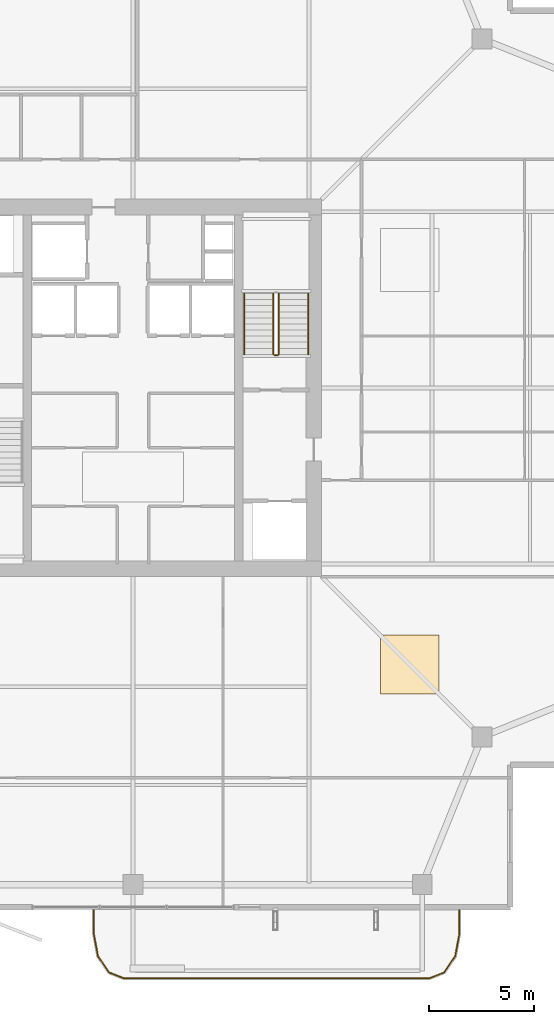
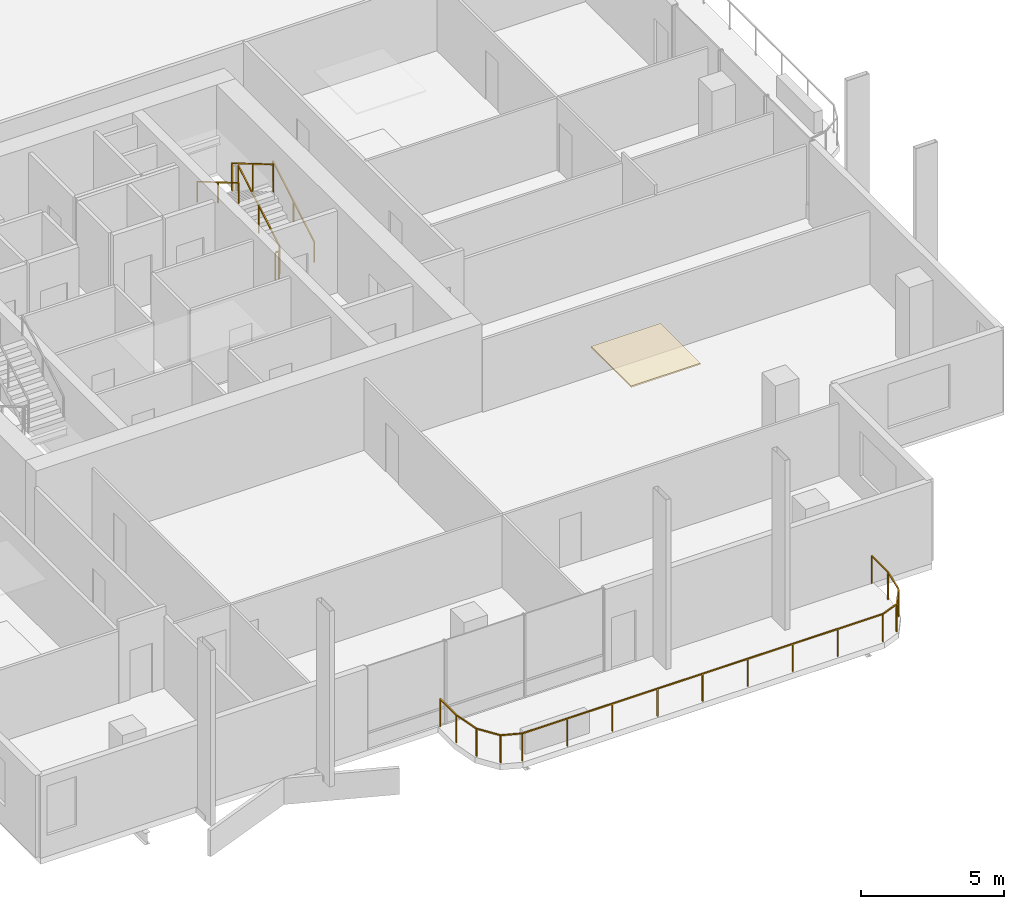
# One storey, part 23 of 25: 6 railings, 1 covering.
"""IFC4 building model written with IfcOpenShell, lengths in metres."""

from ifc_helpers import new_model, si_unit, direction, frame, origin, origin_2d, place, context, subcontext, project, spatial, polyline, rectangle, outline, extrude, material, layer, layer_set, type_object, element, save


model = new_model("IFC4")

# Units and contexts
model_context = context("Model", 3, precision=1e-05, world=origin(), true_north=direction((0.0, 1.0)))
body_context = subcontext(model_context, "Body", "Model", "MODEL_VIEW")
ifc_project = project(units=[si_unit("LENGTHUNIT", "METRE"), si_unit("AREAUNIT", "SQUARE_METRE"), si_unit("VOLUMEUNIT", "CUBIC_METRE"), si_unit("PLANEANGLEUNIT", "RADIAN"), si_unit("MASSUNIT", "GRAM", prefix="KILO")], contexts=[model_context])

# Site, building, storey
site_placement = place(None, origin())
site = spatial("IfcSite", under=ifc_project, at=site_placement, CompositionType="ELEMENT")
building_placement = place(site_placement, origin())
building = spatial("IfcBuilding", under=site, at=building_placement, Name="Belovzor Exchange Tower", CompositionType="ELEMENT")
storey_placement = place(building_placement, frame((0.0, 0.0, 250.35009765625)))
storey = spatial("IfcBuildingStorey", under=building, at=storey_placement, Name="L62", CompositionType="ELEMENT", Elevation=250.35009765625)

# Railings
ifc_material_1 = material(Name="Stainless Steel Grade 304", Category="steel")
railing_type_1 = type_object("IfcRailingType", Name="Brushed Stainless Steel Stair Handrail 900", PredefinedType="HANDRAIL", material=ifc_material_1)
railing_1_placement = place(storey_placement, frame((37.14990234375, 30.39990234375, 0.17041015625)))
element("IfcRailing", 1, at=railing_1_placement, inside=storey, type_object=railing_type_1, Name="L62 ST-2 stair handrail 1", PredefinedType="HANDRAIL", context=body_context, shape_type="SweptSolid", body=[
    extrude(rectangle(XDim=0.048095703125, YDim=0.048095703125, at=origin_2d()), frame((0.0, 0.0, 0.8759765625), z_axis=(0.0, 0.862113265706, 0.506715617574), x_axis=(-1.0, 0.0, 0.0)), (0.0, 0.0, 1.0), 3.364013671875),
    extrude(rectangle(XDim=0.0419921875, YDim=0.0419921875, at=origin_2d()), origin(), (0.0, 0.0, 1.0), 0.851806640625),
    extrude(rectangle(XDim=0.0419921875, YDim=0.0419921875, at=origin_2d()), frame((0.0, 1.4501953125, 0.852294921875)), (0.0, 0.0, 1.0), 0.851806640625),
    extrude(rectangle(XDim=0.0419921875, YDim=0.0419921875, at=origin_2d()), frame((0.0, 2.900146484375, 1.70458984375)), (0.0, 0.0, 1.0), 0.851806640625),
])
railing_2_placement = place(storey_placement, frame((34.10009765625, 33.300048828125, 2.04541015625)))
element("IfcRailing", 2, at=railing_2_placement, inside=storey, type_object=railing_type_1, Name="L62 ST-2 stair handrail 2", PredefinedType="HANDRAIL", context=body_context, shape_type="SweptSolid", body=[
    extrude(rectangle(XDim=0.048095703125, YDim=0.048095703125, at=origin_2d()), frame((0.0, 0.0, 0.8759765625), z_axis=(0.0, -0.862113265706, 0.506715617574), x_axis=(1.0, 0.0, 0.0)), (0.0, 0.0, 1.0), 3.364013671875),
    extrude(rectangle(XDim=0.0419921875, YDim=0.0419921875, at=origin_2d()), origin(), (0.0, 0.0, 1.0), 0.851806640625),
    extrude(rectangle(XDim=0.0419921875, YDim=0.0419921875, at=origin_2d()), frame((0.0, -1.4501953125, 0.852294921875)), (0.0, 0.0, 1.0), 0.851806640625),
    extrude(rectangle(XDim=0.0419921875, YDim=0.0419921875, at=origin_2d()), frame((0.0, -2.900146484375, 1.70458984375)), (0.0, 0.0, 1.0), 0.851806640625),
])
ifc_material_2 = material(Name="Stainless Steel and Laminated Safety Glass", Category="steel")
railing_type_2 = type_object("IfcRailingType", Name="Laminated Glass & Stainless Steel Balcony Balustrade 1200", PredefinedType="BALUSTRADE", material=ifc_material_2)
railing_3_placement = place(storey_placement, frame((26.929931640625, 3.889892578125, 0.0)))
element("IfcRailing", 3, at=railing_3_placement, inside=storey, type_object=railing_type_2, Name="GR-1 Balcony Balustrade L62 South", PredefinedType="BALUSTRADE", context=body_context, shape_type="SweptSolid", body=[
    extrude(rectangle(XDim=0.048095703125, YDim=0.048095703125, at=origin_2d()), frame((0.0, 0.0, 1.17578125), z_axis=(0.0, -1.0, 0.0), x_axis=(1.0, 0.0, 0.0)), (0.0, 0.0, 1.0), 1.1328125),
    extrude(rectangle(XDim=0.048095703125, YDim=0.048095703125, at=origin_2d()), frame((0.0, -1.1328125, 1.17578125), z_axis=(0.180083182347, -0.983651385113, 0.0), x_axis=(0.983651385113, 0.180083182347, 0.0)), (0.0, 0.0, 1.0), 1.093994140625),
    extrude(rectangle(XDim=0.048095703125, YDim=0.048095703125, at=origin_2d()), frame((0.197021484375, -2.208984375, 1.17578125), z_axis=(0.56294695933, -0.826493025367, 0.0), x_axis=(0.826493025367, 0.56294695933, 0.0)), (0.0, 0.0, 1.0), 0.932861328125),
    extrude(rectangle(XDim=0.048095703125, YDim=0.048095703125, at=origin_2d()), frame((0.72216796875, -2.97998046875, 1.17578125), z_axis=(0.930766990125, -0.365612923861, 0.0), x_axis=(0.365612923861, 0.930766990125, 0.0)), (0.0, 0.0, 1.0), 0.765869140625),
    extrude(rectangle(XDim=0.048095703125, YDim=0.048095703125, at=origin_2d()), frame((1.43505859375, -3.260009765625, 1.17578125), z_axis=(1.0, 0.0, 0.0), x_axis=(0.0, 1.0, 0.0)), (0.0, 0.0, 1.0), 14.570068359375),
    extrude(rectangle(XDim=0.048095703125, YDim=0.048095703125, at=origin_2d()), frame((16.005126953125, -3.260009765625, 1.17578125), z_axis=(0.930766990125, 0.365612923861, 0.0), x_axis=(-0.365612923861, 0.930766990125, 0.0)), (0.0, 0.0, 1.0), 0.765869140625),
    extrude(rectangle(XDim=0.048095703125, YDim=0.048095703125, at=origin_2d()), frame((16.718017578125, -2.97998046875, 1.17578125), z_axis=(0.56294695933, 0.826493025367, 0.0), x_axis=(-0.826493025367, 0.56294695933, 0.0)), (0.0, 0.0, 1.0), 0.932861328125),
    extrude(rectangle(XDim=0.048095703125, YDim=0.048095703125, at=origin_2d()), frame((17.2431640625, -2.208984375, 1.17578125), z_axis=(0.180083182347, 0.983651385113, 0.0), x_axis=(-0.983651385113, 0.180083182347, 0.0)), (0.0, 0.0, 1.0), 1.093994140625),
    extrude(rectangle(XDim=0.048095703125, YDim=0.048095703125, at=origin_2d()), frame((17.440185546875, -1.1328125, 1.17578125), z_axis=(0.0, 1.0, 0.0), x_axis=(-1.0, 0.0, 0.0)), (0.0, 0.0, 1.0), 1.1328125),
    extrude(rectangle(XDim=0.0419921875, YDim=0.0419921875, at=origin_2d()), origin(), (0.0, 0.0, 1.0), 1.15185546875),
    extrude(rectangle(XDim=0.0419921875, YDim=0.0419921875, at=origin_2d()), frame((0.0, -1.1328125, 0.0)), (0.0, 0.0, 1.0), 1.15185546875),
    extrude(rectangle(XDim=0.0419921875, YDim=0.0419921875, at=origin_2d()), frame((0.197021484375, -2.208984375, 0.0)), (0.0, 0.0, 1.0), 1.15185546875),
    extrude(rectangle(XDim=0.0419921875, YDim=0.0419921875, at=origin_2d()), frame((0.72216796875, -2.97998046875, 0.0)), (0.0, 0.0, 1.0), 1.15185546875),
    extrude(rectangle(XDim=0.0419921875, YDim=0.0419921875, at=origin_2d()), frame((1.43505859375, -3.260009765625, 0.0)), (0.0, 0.0, 1.0), 1.15185546875),
    extrude(rectangle(XDim=0.0419921875, YDim=0.0419921875, at=origin_2d()), frame((3.25634765625, -3.260009765625, 0.0)), (0.0, 0.0, 1.0), 1.15185546875),
    extrude(rectangle(XDim=0.0419921875, YDim=0.0419921875, at=origin_2d()), frame((5.07763671875, -3.260009765625, 0.0)), (0.0, 0.0, 1.0), 1.15185546875),
    extrude(rectangle(XDim=0.0419921875, YDim=0.0419921875, at=origin_2d()), frame((6.89892578125, -3.260009765625, 0.0)), (0.0, 0.0, 1.0), 1.15185546875),
    extrude(rectangle(XDim=0.0419921875, YDim=0.0419921875, at=origin_2d()), frame((8.72021484375, -3.260009765625, 0.0)), (0.0, 0.0, 1.0), 1.15185546875),
    extrude(rectangle(XDim=0.0419921875, YDim=0.0419921875, at=origin_2d()), frame((10.541259765625, -3.260009765625, 0.0)), (0.0, 0.0, 1.0), 1.15185546875),
    extrude(rectangle(XDim=0.0419921875, YDim=0.0419921875, at=origin_2d()), frame((12.362548828125, -3.260009765625, 0.0)), (0.0, 0.0, 1.0), 1.15185546875),
    extrude(rectangle(XDim=0.0419921875, YDim=0.0419921875, at=origin_2d()), frame((14.183837890625, -3.260009765625, 0.0)), (0.0, 0.0, 1.0), 1.15185546875),
    extrude(rectangle(XDim=0.0419921875, YDim=0.0419921875, at=origin_2d()), frame((16.005126953125, -3.260009765625, 0.0)), (0.0, 0.0, 1.0), 1.15185546875),
    extrude(rectangle(XDim=0.0419921875, YDim=0.0419921875, at=origin_2d()), frame((16.718017578125, -2.97998046875, 0.0)), (0.0, 0.0, 1.0), 1.15185546875),
    extrude(rectangle(XDim=0.0419921875, YDim=0.0419921875, at=origin_2d()), frame((17.2431640625, -2.208984375, 0.0)), (0.0, 0.0, 1.0), 1.15185546875),
    extrude(rectangle(XDim=0.0419921875, YDim=0.0419921875, at=origin_2d()), frame((17.440185546875, -1.1328125, 0.0)), (0.0, 0.0, 1.0), 1.15185546875),
    extrude(rectangle(XDim=0.0419921875, YDim=0.0419921875, at=origin_2d()), frame((17.440185546875, 0.0, 0.0)), (0.0, 0.0, 1.0), 1.15185546875),
])
ifc_material_3 = material(Name="Steel S355", Category="steel")
railing_type_3 = type_object("IfcRailingType", Name="Painted Steel Stairwell Guardrail 1200", PredefinedType="GUARDRAIL", material=ifc_material_3)
railing_4_placement = place(storey_placement, frame((35.75, 30.39990234375, 0.17041015625)))
element("IfcRailing", 4, at=railing_4_placement, inside=storey, type_object=railing_type_3, Name="L62 ST-2 stair guard 1", PredefinedType="GUARDRAIL", context=body_context, shape_type="SweptSolid", body=[
    extrude(rectangle(XDim=0.048095703125, YDim=0.048095703125, at=origin_2d()), frame((0.0, 0.0, 1.17578125), z_axis=(0.0, 0.862113265706, 0.506715617574), x_axis=(-1.0, 0.0, 0.0)), (0.0, 0.0, 1.0), 3.364013671875),
    extrude(rectangle(XDim=0.0419921875, YDim=0.0419921875, at=origin_2d()), origin(), (0.0, 0.0, 1.0), 1.15185546875),
    extrude(rectangle(XDim=0.0419921875, YDim=0.0419921875, at=origin_2d()), frame((0.0, 1.4501953125, 0.852294921875)), (0.0, 0.0, 1.0), 1.15185546875),
    extrude(rectangle(XDim=0.0419921875, YDim=0.0419921875, at=origin_2d()), frame((0.0, 2.900146484375, 1.70458984375)), (0.0, 0.0, 1.0), 1.15185546875),
])
railing_5_placement = place(storey_placement, frame((35.5, 33.300048828125, 2.04541015625)))
element("IfcRailing", 5, at=railing_5_placement, inside=storey, type_object=railing_type_3, Name="L62 ST-2 stair guard 3", PredefinedType="GUARDRAIL", context=body_context, shape_type="SweptSolid", body=[
    extrude(rectangle(XDim=0.048095703125, YDim=0.048095703125, at=origin_2d()), frame((0.0, 0.0, 1.17578125), z_axis=(0.0, -0.862113265706, 0.506715617574), x_axis=(1.0, 0.0, 0.0)), (0.0, 0.0, 1.0), 3.364013671875),
    extrude(rectangle(XDim=0.0419921875, YDim=0.0419921875, at=origin_2d()), origin(), (0.0, 0.0, 1.0), 1.15185546875),
    extrude(rectangle(XDim=0.0419921875, YDim=0.0419921875, at=origin_2d()), frame((0.0, -1.4501953125, 0.852294921875)), (0.0, 0.0, 1.0), 1.15185546875),
    extrude(rectangle(XDim=0.0419921875, YDim=0.0419921875, at=origin_2d()), frame((0.0, -2.900146484375, 1.70458984375)), (0.0, 0.0, 1.0), 1.15185546875),
])
railing_6_placement = place(storey_placement, frame((35.699951171875, 30.35009765625, 0.0)))
element("IfcRailing", 6, at=railing_6_placement, inside=storey, type_object=railing_type_3, Name="L62 ST-2 stair guard 4", PredefinedType="GUARDRAIL", context=body_context, shape_type="SweptSolid", body=[
    extrude(rectangle(XDim=0.048095703125, YDim=0.048095703125, at=origin_2d()), frame((0.0, 0.0, 1.17578125), z_axis=(-1.0, 0.0, 0.0), x_axis=(0.0, -1.0, 0.0)), (0.0, 0.0, 1.0), 0.14990234375),
    extrude(rectangle(XDim=0.0419921875, YDim=0.0419921875, at=origin_2d()), origin(), (0.0, 0.0, 1.0), 1.15185546875),
    extrude(rectangle(XDim=0.0419921875, YDim=0.0419921875, at=origin_2d()), frame((-0.14990234375, 0.0, 0.0)), (0.0, 0.0, 1.0), 1.15185546875),
])

# Covering
ifc_material_4 = material(Name="Perforated Powder-Coated Aluminium", Category="aluminium")
ifc_layer = layer(ifc_material_4, 0.06005859375)
ifc_layer_set = layer_set([ifc_layer], Name="Perforated Powder-Coated Aluminium")
covering_type = type_object("IfcCoveringType", Name="Perforated Acoustic Metal Tile Suspended Ceiling 60", PredefinedType="CEILING", material=ifc_layer_set)
covering_placement = place(storey_placement, frame((0.0, 0.0, 3.43994140625)))
element("IfcCovering", 7, at=covering_placement, inside=storey, type_object=covering_type, Name="CLG-AC60 Suspended Ceiling CLG-L62-Z1", PredefinedType="CEILING", context=body_context, shape_type="SweptSolid", body=[
    extrude(outline(polyline([(40.60009765625, 14.199951171875), (43.39990234375, 14.199951171875), (43.39990234375, 17.0), (40.60009765625, 17.0), (40.60009765625, 14.199951171875)])), origin(), (0.0, 0.0, 1.0), 0.06005859375),
])

save(model, "model.ifc")
